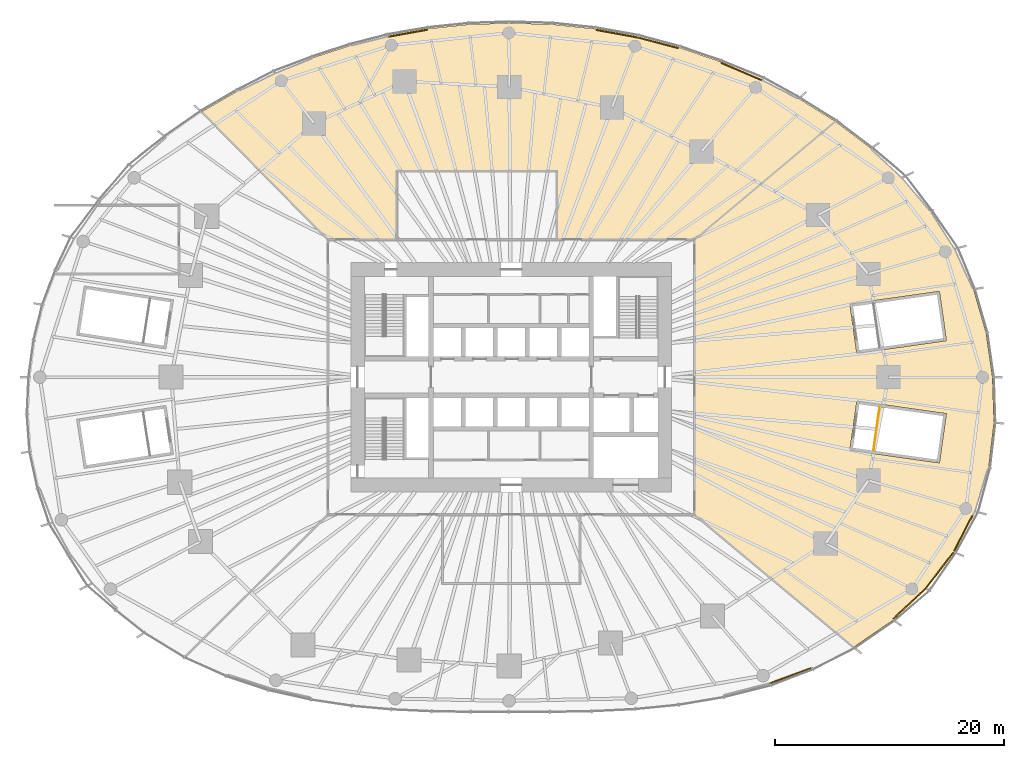
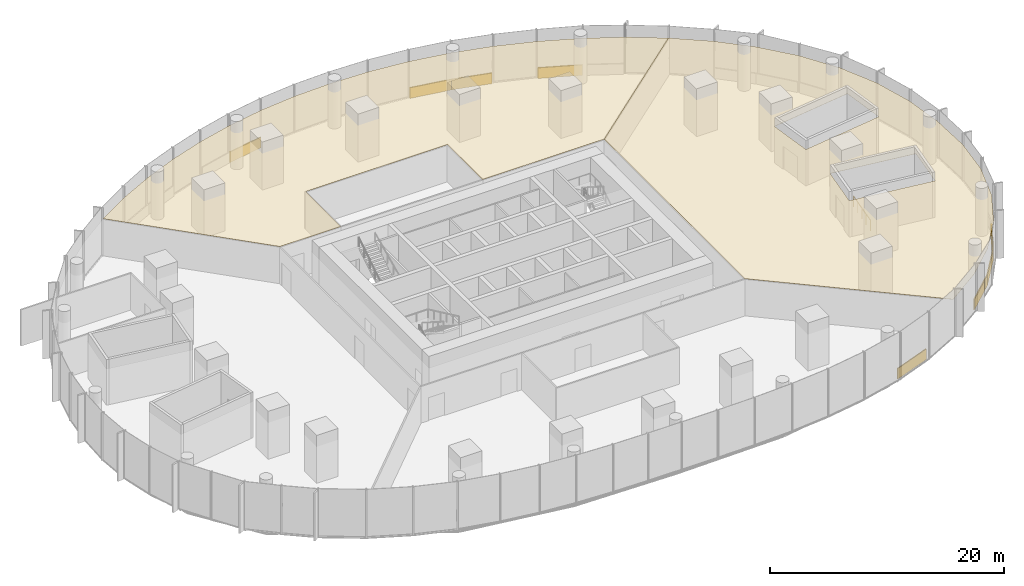
# One storey, part 26 of 27: 11 coverings, 1 railing.
"""IFC4 building model written with IfcOpenShell, lengths in metres."""

import ifcopenshell
import ifcopenshell.guid

model = None  # the IFC model being written
_history = None  # IfcOwnerHistory: only IFC2X3 demands one
_inside = {}  # id of a spatial element -> (the spatial element, [elements in it])
_under = {}  # id of a project, library or spatial element -> (it, [spatial elements below it])
_declared = {}  # id of a project -> (the project, [libraries it declares])
_typed = {}  # id of a type object -> (the type object, [elements of that type])
_made_of = {}  # id of a material, layer set ... -> (it, [elements and type objects made of it])


def new_model(schema):
    """Start an empty IFC model of exactly this schema.

    Asked for "IFC4X3", IfcOpenShell would pick the latest addendum, in which some entities
    have other attributes; the version numbers below select the first issue.
    IFC2X3 requires an IfcOwnerHistory on every rooted entity: one is made here for all.
    """
    global model, _history
    if schema == "IFC4X3":
        model = ifcopenshell.file(schema_version=(4, 3, 0, 0))
    else:
        model = ifcopenshell.file(schema=schema)
    _inside.clear()
    _under.clear()
    _declared.clear()
    _typed.clear()
    _made_of.clear()
    _history = None
    if model.schema == "IFC2X3":
        org = make("IfcOrganization", Name="unknown")
        user = make(
            "IfcPersonAndOrganization",
            ThePerson=make("IfcPerson", FamilyName="unknown"),
            TheOrganization=org,
        )
        app = make(
            "IfcApplication",
            ApplicationDeveloper=org,
            Version="unknown",
            ApplicationFullName="unknown",
            ApplicationIdentifier="unknown",
        )
        _history = make(
            "IfcOwnerHistory",
            OwningUser=user,
            OwningApplication=app,
            ChangeAction="ADDED",
            CreationDate=0,
        )
    return model


def make(cls, **values):
    """One entity of the class cls with the attributes given. An attribute that is None is left unset."""
    return model.create_entity(
        cls, **{name: value for name, value in values.items() if value is not None}
    )


def rooted(cls, **values):
    """An entity with a GlobalId (a new one), such as an element, a storey or a relation."""
    return make(cls, GlobalId=ifcopenshell.guid.new(), OwnerHistory=_history, **values)


def si_unit(unit_type, name, prefix=None):
    """IfcSIUnit, for example si_unit("LENGTHUNIT", "METRE", prefix="MILLI")."""
    return make("IfcSIUnit", UnitType=unit_type, Prefix=prefix, Name=name)


def assignment(units):
    """IfcUnitAssignment: the units of a project."""
    return None if units is None else make("IfcUnitAssignment", Units=units)


def point(xyz):
    """IfcCartesianPoint."""
    return None if xyz is None else make("IfcCartesianPoint", Coordinates=xyz)


def direction(xyz):
    """IfcDirection."""
    return None if xyz is None else make("IfcDirection", DirectionRatios=xyz)


def frame(location, z_axis=None, x_axis=None):
    """IfcAxis2Placement3D, a coordinate frame: its origin and axes. An axis left out is left unset."""
    return make(
        "IfcAxis2Placement3D",
        Location=point(location),
        Axis=direction(z_axis),
        RefDirection=direction(x_axis),
    )


def frame_2d(location, x_axis=None):
    """IfcAxis2Placement2D, a coordinate frame in the plane: its origin and x axis."""
    return make(
        "IfcAxis2Placement2D", Location=point(location), RefDirection=direction(x_axis)
    )


def origin():
    """The frame at (0, 0, 0) with its axes left unset."""
    return frame((0.0, 0.0, 0.0))


def origin_2d():
    """The frame at (0, 0) in the plane with its x axis left unset."""
    return frame_2d((0.0, 0.0))


def place(relative_to, where):
    """IfcLocalPlacement: puts the frame where relative to a parent placement (None: the world)."""
    return make(
        "IfcLocalPlacement", PlacementRelTo=relative_to, RelativePlacement=where
    )


def context(
    kind, dimensions, precision=None, world=None, true_north=None, identifier=None
):
    """IfcGeometricRepresentationContext, for example the 3D "Model" context."""
    return make(
        "IfcGeometricRepresentationContext",
        ContextIdentifier=identifier,
        ContextType=kind,
        CoordinateSpaceDimension=dimensions,
        Precision=precision,
        WorldCoordinateSystem=world,
        TrueNorth=true_north,
    )


def subcontext(parent, identifier, kind, view, scale=None):
    """IfcGeometricRepresentationSubContext, for example "Body" below "Model"."""
    return make(
        "IfcGeometricRepresentationSubContext",
        ContextIdentifier=identifier,
        ContextType=kind,
        ParentContext=parent,
        TargetScale=scale,
        TargetView=view,
    )


def project(units=None, contexts=None):
    """IfcProject with its units and contexts."""
    return rooted(
        "IfcProject",
        Name="project",
        RepresentationContexts=contexts,
        UnitsInContext=assignment(units),
    )


def spatial(cls, under=None, at=None, **own):
    """A site, building, storey or space (cls), placed at a placement, below another one or the project."""
    s = rooted(cls, ObjectPlacement=at, **own)
    if under is not None:
        _under.setdefault(under.id(), (under, []))[1].append(s)
    return s


def polyline(points):
    """IfcPolyline through the points."""
    return make("IfcPolyline", Points=[point(p) for p in points])


def profile(cls, at=None, kind="AREA", **sizes):
    """A parametric profile (cls). Its sizes go by their IFC names, for example OverallWidth=200.0."""
    return make(cls, ProfileType=kind, Position=at, **sizes)


def rectangle(**sizes):
    """IfcRectangleProfileDef."""
    return profile("IfcRectangleProfileDef", **sizes)


def circle(**sizes):
    """IfcCircleProfileDef."""
    return profile("IfcCircleProfileDef", **sizes)


def outline(outer, holes=None, kind="AREA"):
    """IfcArbitraryClosedProfileDef: a profile drawn as a closed curve; with holes, ...WithVoids."""
    if holes is None:
        return make("IfcArbitraryClosedProfileDef", ProfileType=kind, OuterCurve=outer)
    return make(
        "IfcArbitraryProfileDefWithVoids",
        ProfileType=kind,
        OuterCurve=outer,
        InnerCurves=holes,
    )


def extrude(swept, where, along, depth):
    """IfcExtrudedAreaSolid: the profile swept, set in the frame where, extruded along a direction by depth."""
    return make(
        "IfcExtrudedAreaSolid",
        SweptArea=swept,
        Position=where,
        ExtrudedDirection=direction(along),
        Depth=depth,
    )


def shape(context_of_items, identifier, shape_type, items):
    """IfcShapeRepresentation: the items that make up one representation, for example the "Body"."""
    return make(
        "IfcShapeRepresentation",
        ContextOfItems=context_of_items,
        RepresentationIdentifier=identifier,
        RepresentationType=shape_type,
        Items=items,
    )


def material(Name=None, Category=None):
    """IfcMaterial."""
    return make("IfcMaterial", Name=Name, Category=Category)


def layer(
    of_material, thickness, ventilated=None, Name=None, Category=None, Priority=None
):
    """IfcMaterialLayer: one layer of a wall or slab, of a material (None: an air gap)."""
    return make(
        "IfcMaterialLayer",
        Material=of_material,
        LayerThickness=thickness,
        IsVentilated=ventilated,
        Name=Name,
        Category=Category,
        Priority=Priority,
    )


def layer_set(layers, Name=None):
    """IfcMaterialLayerSet."""
    return make("IfcMaterialLayerSet", MaterialLayers=layers, LayerSetName=Name)


def made_of(thing, what):
    """Note that an element or type object is made of a material, layer set ...; save() writes the relation."""
    if what is not None:
        _made_of.setdefault(what.id(), (what, []))[1].append(thing)
    return thing


def type_object(cls, material=None, **own):
    """A type object (cls), such as IfcWallType, which elements share."""
    return made_of(rooted(cls, **own), material)


def element(
    cls,
    number,
    at=None,
    inside=None,
    cuts=None,
    type_object=None,
    material=None,
    context=None,
    identifier="Body",
    shape_type=None,
    held_by="IfcProductDefinitionShape",
    body=None,
    shapes=None,
    **own,
):
    """One element of the class cls, such as IfcWall. Its Tag is "e" and its number.

    at: its placement. inside: the storey or other place that contains it. cuts: it is an
    opening in that element (IfcRelVoidsElement). A single representation is given by context,
    identifier, shape_type and body (its items); several are given by shapes. held_by: the class
    of the entity that holds the representations. save() writes the other relations.
    """
    e = rooted(cls, Tag="e%d" % number, ObjectPlacement=at, **own)
    if body is not None:
        shapes = [shape(context, identifier, shape_type, body)]
    if shapes is not None:
        e.Representation = make(held_by, Representations=shapes)
    if inside is not None:
        _inside.setdefault(inside.id(), (inside, []))[1].append(e)
    if cuts is not None:
        rooted(
            "IfcRelVoidsElement", RelatingBuildingElement=cuts, RelatedOpeningElement=e
        )
    if type_object is not None:
        _typed.setdefault(type_object.id(), (type_object, []))[1].append(e)
    return made_of(e, material)


def aggregate(whole, parts):
    """IfcRelAggregates: a whole, such as a stair, and the parts it consists of."""
    return rooted("IfcRelAggregates", RelatingObject=whole, RelatedObjects=parts)


def save(model, path):
    """Write the relations noted so far, then the file.

    IfcRelAggregates (storeys below a building ...), IfcRelContainedInSpatialStructure (elements
    in a storey), IfcRelDefinesByType, IfcRelAssociatesMaterial and IfcRelDeclares: one each for
    every whole, place, type object, material and project.
    """
    for whole, parts in _under.values():
        aggregate(whole, parts)
    for where, things in _inside.values():
        rooted(
            "IfcRelContainedInSpatialStructure",
            RelatedElements=things,
            RelatingStructure=where,
        )
    for kind, things in _typed.values():
        rooted("IfcRelDefinesByType", RelatedObjects=things, RelatingType=kind)
    for what, things in _made_of.values():
        rooted("IfcRelAssociatesMaterial", RelatedObjects=things, RelatingMaterial=what)
    for by, libraries in _declared.values():
        rooted("IfcRelDeclares", RelatingContext=by, RelatedDefinitions=libraries)
    model.write(path)


model = new_model("IFC4")

# Units and contexts
model_context = context("Model", 3, precision=1e-05, world=origin(), true_north=direction((0.0, 1.0)))
body_context = subcontext(model_context, "Body", "Model", "MODEL_VIEW")
ifc_project = project(units=[si_unit("LENGTHUNIT", "METRE"), si_unit("AREAUNIT", "SQUARE_METRE"), si_unit("VOLUMEUNIT", "CUBIC_METRE"), si_unit("PLANEANGLEUNIT", "RADIAN"), si_unit("MASSUNIT", "GRAM", prefix="KILO")], contexts=[model_context])

# Site, building, storey
site_placement = place(None, origin())
site = spatial("IfcSite", under=ifc_project, at=site_placement, CompositionType="ELEMENT")
building_placement = place(site_placement, origin())
building = spatial("IfcBuilding", under=site, at=building_placement, Name="Ghaith Harvest Tower", CompositionType="ELEMENT")
storey_placement = place(building_placement, frame((0.0, 0.0, 10.0)))
storey = spatial("IfcBuildingStorey", under=building, at=storey_placement, Name="L02", CompositionType="ELEMENT", Elevation=10.0)

# Coverings
ifc_material_1 = material(Name="Mineral fibre ceiling tile", Category="gypsum")
ifc_layer_1 = layer(ifc_material_1, 0.014892578125)
ifc_layer_set_1 = layer_set([ifc_layer_1], Name="CEILING C3")
covering_type_1 = type_object("IfcCoveringType", Name="CEILING C3", PredefinedType="CEILING", material=ifc_layer_set_1)
covering_1_placement = place(storey_placement, frame((0.0, 0.0, 3.800048828125)))
element("IfcCovering", 1, at=covering_1_placement, inside=storey, type_object=covering_type_1, Name="Ceiling L02-N1", PredefinedType="CEILING", context=body_context, shape_type="SweptSolid", body=[
    extrude(outline(polyline([(-23.8251953125, 25.008056640625), (-20.624267578125, 26.55615234375), (-17.31640625, 27.882568359375), (-14.027099609375, 28.951416015625), (-10.755126953125, 29.778076171875), (-7.227783203125, 30.410400390625), (-3.714111328125, 30.778564453125), (-0.21142578125, 30.899658203125), (3.546875, 30.789794921875), (7.317138671875, 30.397705078125), (11.103271484375, 29.701171875), (14.681396484375, 28.758056640625), (18.281005859375, 27.522705078125), (21.901123046875, 25.9716796875), (25.11083984375, 24.3037109375), (28.29345703125, 22.319580078125), (16.0, 12.0), (4.0, 12.0), (4.0, 18.0), (-10.0, 18.0), (-10.0, 12.0), (-16.0, 12.0), (-27.0146484375, 23.16162109375), (-23.8251953125, 25.008056640625)])), origin(), (0.0, 0.0, 1.0), 0.014892578125),
])
covering_2_placement = place(storey_placement, frame((0.0, 0.0, 3.800048828125)))
element("IfcCovering", 2, at=covering_2_placement, inside=storey, type_object=covering_type_1, Name="Ceiling L02-E1", PredefinedType="CEILING", context=body_context, shape_type="SweptSolid", body=[
    extrude(outline(polyline([(31.389404296875, 19.9765625), (34.138671875, 17.4111328125), (36.625732421875, 14.47998046875), (38.736572265625, 11.19580078125), (40.3486328125, 7.658203125), (41.43310546875, 3.897216796875), (42.0, 0.0), (42.129150390625, -3.962646484375), (41.6611328125, -7.9072265625), (40.513427734375, -11.709228515625), (38.668212890625, -15.287353515625), (36.223876953125, -18.474609375), (33.314208984375, -21.201416015625), (29.87744140625, -23.5693359375), (16.0, -12.0), (16.0, 12.0), (28.29345703125, 22.319580078125), (31.389404296875, 19.9765625)]), holes=[polyline([(37.369140625, 7.488525390625), (29.547119140625, 6.381103515625), (30.156982421875, 2.073974609375), (37.97900390625, 3.181640625), (37.369140625, 7.488525390625)]), polyline([(30.156982421875, -2.073974609375), (29.547119140625, -6.381103515625), (37.369140625, -7.488525390625), (37.97900390625, -3.181640625), (30.156982421875, -2.073974609375)])]), origin(), (0.0, 0.0, 1.0), 0.014892578125),
])

# Railing
ifc_material_2 = material(Name="Steel, black powder-coated", Category="steel")
railing_type = type_object("IfcRailingType", Name="GUARD GR1", PredefinedType="GUARDRAIL", material=ifc_material_2)
railing_placement = place(storey_placement, frame((31.612060546875, -6.4208984375, 0.0)))
element("IfcRailing", 3, at=railing_placement, inside=storey, type_object=railing_type, Name="Guard GR1 at the top landing of stair PS4", PredefinedType="GUARDRAIL", context=body_context, shape_type="SweptSolid", body=[
    extrude(circle(Radius=0.02392578125, at=origin_2d()), frame((0.0, 0.0, 1.076171875), z_axis=(0.140204998094, 0.990122496719, 0.0), x_axis=(-0.990122496719, 0.140204998094, 0.0)), (0.0, 0.0, 1.0), 3.85009765625),
    extrude(circle(Radius=0.02099609375, at=origin_2d()), origin(), (0.0, 0.0, 1.0), 1.052001953125),
    extrude(circle(Radius=0.02099609375, at=origin_2d()), frame((0.135009765625, 0.953125, 0.0)), (0.0, 0.0, 1.0), 1.052001953125),
    extrude(circle(Radius=0.02099609375, at=origin_2d()), frame((0.27001953125, 1.906005859375, 0.0)), (0.0, 0.0, 1.0), 1.052001953125),
    extrude(circle(Radius=0.02099609375, at=origin_2d()), frame((0.40478515625, 2.85888671875, 0.0)), (0.0, 0.0, 1.0), 1.052001953125),
    extrude(circle(Radius=0.02099609375, at=origin_2d()), frame((0.539794921875, 3.81201171875, 0.0)), (0.0, 0.0, 1.0), 1.052001953125),
])

# Coverings
ifc_material_3 = material(Name="Insulated aluminium spandrel panel on steel framing", Category="steel")
ifc_layer_2 = layer(ifc_material_3, 0.10009765625)
ifc_layer_set_2 = layer_set([ifc_layer_2], Name="SLAB EDGE UPSTAND 1100x100")
covering_type_2 = type_object("IfcCoveringType", Name="SLAB EDGE UPSTAND 1100x100", PredefinedType="CLADDING", material=ifc_layer_set_2)
covering_3_placement = place(storey_placement, frame((20.1171875, 26.681640625, 0.0), z_axis=(0.0, 0.0, 1.0), x_axis=(-0.919190597387, 0.39381295773, 0.0)))
element("IfcCovering", 4, at=covering_3_placement, inside=storey, type_object=covering_type_2, Name="Slab edge upstand 1 bay 04 L02", PredefinedType="CLADDING", context=body_context, shape_type="SweptSolid", body=[
    extrude(rectangle(XDim=3.838623046875, YDim=0.10009765625, at=origin_2d()), origin(), (0.0, 0.0, 1.0), 1.10009765625),
])
covering_4_placement = place(storey_placement, frame((12.831298828125, 29.19384765625, 0.0), z_axis=(0.0, 0.0, 1.0), x_axis=(-0.966975363685, 0.25486986096, 0.0)))
element("IfcCovering", 5, at=covering_4_placement, inside=storey, type_object=covering_type_2, Name="Slab edge upstand 3 bay 04 L02", PredefinedType="CLADDING", context=body_context, shape_type="SweptSolid", body=[
    extrude(rectangle(XDim=3.600341796875, YDim=0.10009765625, at=origin_2d()), origin(), (0.0, 0.0, 1.0), 1.10009765625),
])
covering_5_placement = place(storey_placement, frame((9.25048828125, 29.9912109375, 0.0), z_axis=(0.0, 0.0, 1.0), x_axis=(-0.983492218086, 0.180950426815, 0.0)))
element("IfcCovering", 6, at=covering_5_placement, inside=storey, type_object=covering_type_2, Name="Slab edge upstand 1 bay 05 L02", PredefinedType="CLADDING", context=body_context, shape_type="SweptSolid", body=[
    extrude(rectangle(XDim=3.749755859375, YDim=0.10009765625, at=origin_2d()), origin(), (0.0, 0.0, 1.0), 1.10009765625),
])
covering_6_placement = place(storey_placement, frame((-9.031982421875, 30.0361328125, 0.0), z_axis=(0.0, 0.0, 1.0), x_axis=(-0.984304374545, -0.176479172288, 0.0)))
element("IfcCovering", 7, at=covering_6_placement, inside=storey, type_object=covering_type_2, Name="Slab edge upstand 3 bay 06 L02", PredefinedType="CLADDING", context=body_context, shape_type="SweptSolid", body=[
    extrude(rectangle(XDim=3.483642578125, YDim=0.10009765625, at=origin_2d()), origin(), (0.0, 0.0, 1.0), 1.10009765625),
])
covering_7_placement = place(storey_placement, frame((24.350341796875, -26.061279296875, 0.0), z_axis=(0.0, 0.0, 1.0), x_axis=(0.937518614693, 0.347935119101, 0.0)))
element("IfcCovering", 8, at=covering_7_placement, inside=storey, type_object=covering_type_2, Name="Slab edge upstand 1 bay 18 L02", PredefinedType="CLADDING", context=body_context, shape_type="SweptSolid", body=[
    extrude(rectangle(XDim=3.820556640625, YDim=0.10009765625, at=origin_2d()), origin(), (0.0, 0.0, 1.0), 1.10009765625),
])
covering_8_placement = place(storey_placement, frame((34.4287109375, -20.08837890625, 0.0), z_axis=(0.0, 0.0, 1.0), x_axis=(0.729659021671, 0.683811166985, 0.0)))
element("IfcCovering", 9, at=covering_8_placement, inside=storey, type_object=covering_type_2, Name="Slab edge upstand 1 bay 19 L02", PredefinedType="CLADDING", context=body_context, shape_type="SweptSolid", body=[
    extrude(rectangle(XDim=2.9482421875, YDim=0.10009765625, at=origin_2d()), origin(), (0.0, 0.0, 1.0), 1.10009765625),
])
covering_9_placement = place(storey_placement, frame((35.876953125, -18.731201171875, 0.0), z_axis=(0.0, 0.0, 1.0), x_axis=(0.729659021671, 0.683811166985, 0.0)))
element("IfcCovering", 10, at=covering_9_placement, inside=storey, type_object=covering_type_2, Name="Slab edge upstand 1 bay 19 L02", PredefinedType="CLADDING", context=body_context, shape_type="SweptSolid", body=[
    extrude(rectangle(XDim=0.857177734375, YDim=0.10009765625, at=origin_2d()), origin(), (0.0, 0.0, 1.0), 1.10009765625),
])
covering_10_placement = place(storey_placement, frame((37.3759765625, -16.89013671875, 0.0), z_axis=(0.0, 0.0, 1.0), x_axis=(0.60853664188, 0.793525774937, 0.0)))
element("IfcCovering", 11, at=covering_10_placement, inside=storey, type_object=covering_type_2, Name="Slab edge upstand 2 bay 19 L02", PredefinedType="CLADDING", context=body_context, shape_type="SweptSolid", body=[
    extrude(rectangle(XDim=3.91650390625, YDim=0.10009765625, at=origin_2d()), origin(), (0.0, 0.0, 1.0), 1.10009765625),
])
covering_11_placement = place(storey_placement, frame((39.474853515625, -13.61376953125, 0.0), z_axis=(0.0, 0.0, 1.0), x_axis=(0.458352603838, 0.888770437489, 0.0)))
element("IfcCovering", 12, at=covering_11_placement, inside=storey, type_object=covering_type_2, Name="Slab edge upstand 3 bay 19 L02", PredefinedType="CLADDING", context=body_context, shape_type="SweptSolid", body=[
    extrude(rectangle(XDim=3.5146484375, YDim=0.10009765625, at=origin_2d()), origin(), (0.0, 0.0, 1.0), 1.10009765625),
])

save(model, "model.ifc")
